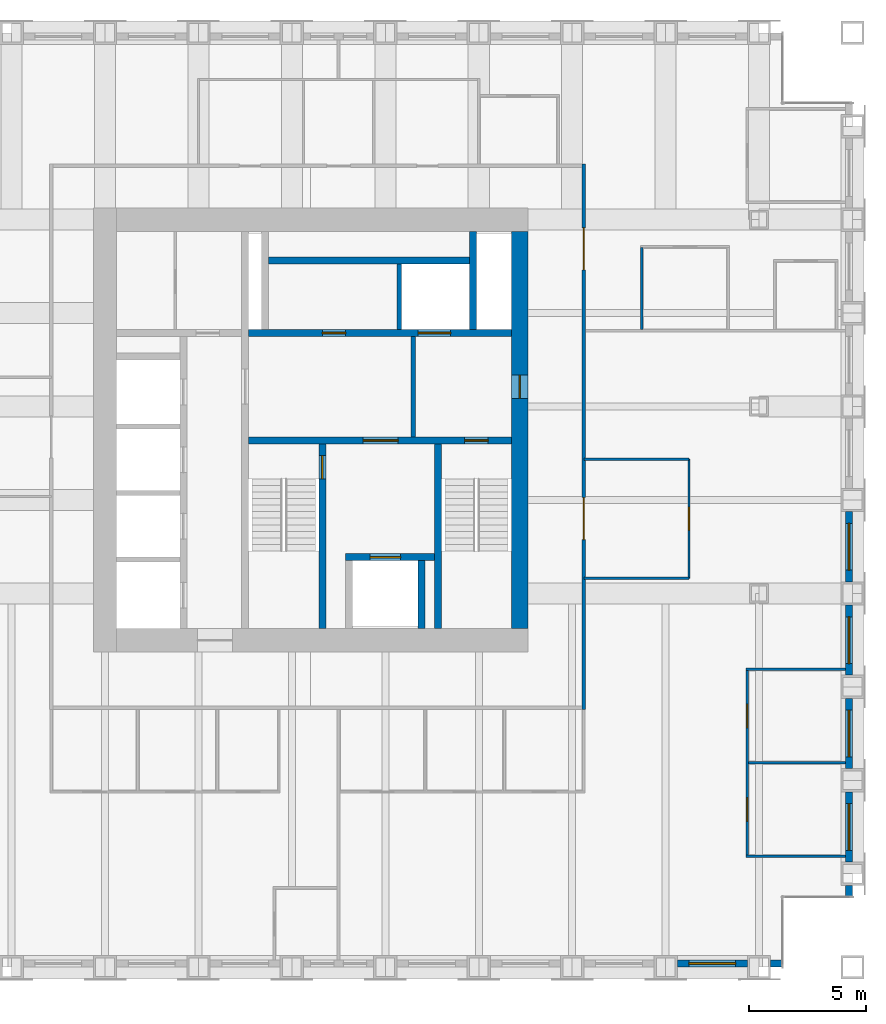
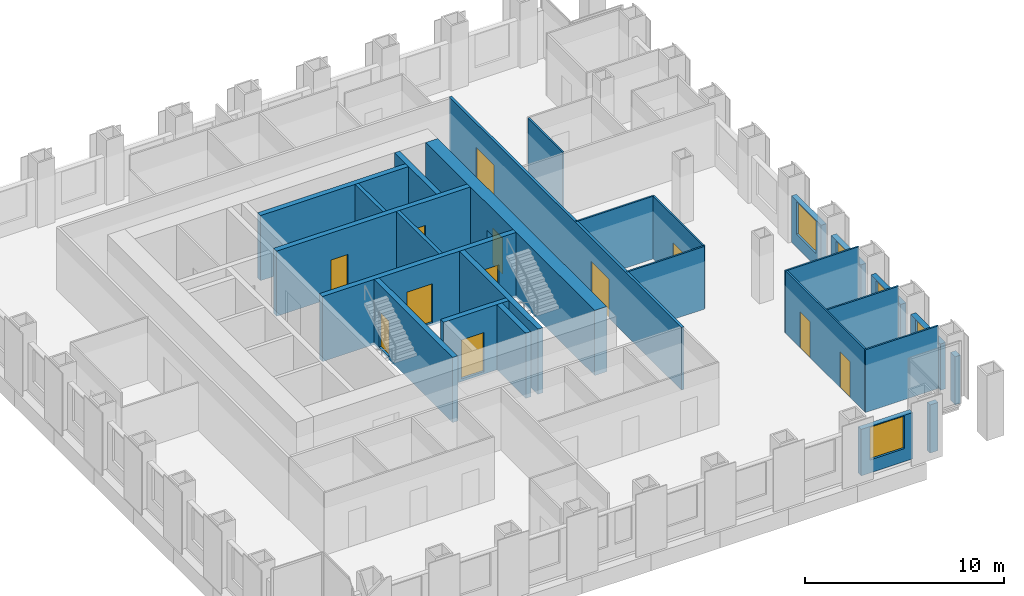
# One storey, part 9 of 13: 27 walls, 12 doors, 5 windows, 17 openings.
"""IFC4 building model written with IfcOpenShell, lengths in metres."""

from ifc_helpers import new_model, si_unit, direction, frame, frame_2d, origin, place, context, subcontext, project, spatial, rectangle, extrude, material, layer, layer_set, type_object, element, fill, save


model = new_model("IFC4")

# Units and contexts
model_context = context("Model", 3, precision=1e-05, world=origin(), true_north=direction((0.0, 1.0)))
body_context = subcontext(model_context, "Body", "Model", "MODEL_VIEW")
ifc_project = project(units=[si_unit("LENGTHUNIT", "METRE"), si_unit("AREAUNIT", "SQUARE_METRE"), si_unit("VOLUMEUNIT", "CUBIC_METRE"), si_unit("PLANEANGLEUNIT", "RADIAN"), si_unit("MASSUNIT", "GRAM", prefix="KILO")], contexts=[model_context])

# Site, building, storey
site_placement = place(None, origin())
site = spatial("IfcSite", under=ifc_project, at=site_placement, CompositionType="ELEMENT")
building_placement = place(site_placement, origin())
building = spatial("IfcBuilding", under=site, at=building_placement, Name="Rimbunsela Tower", CompositionType="ELEMENT")
storey_placement = place(building_placement, frame((0.0, 0.0, 262.199951171875)))
storey = spatial("IfcBuildingStorey", under=building, at=storey_placement, Name="L63", CompositionType="ELEMENT", Elevation=262.199951171875)

# Wall, openings, doors
ifc_material_1 = material(Name="Concrete fc' 80 MPa", Category="concrete")
ifc_layer_1 = layer(ifc_material_1, 0.300048828125)
ifc_layer_set_1 = layer_set([ifc_layer_1], Name="Core internal wall 300")
wall_type_1 = type_object("IfcWallType", Name="Core internal wall 300", PredefinedType="SHEAR", material=ifc_layer_set_1)
wall_1_placement = place(storey_placement, frame((24.14990234375, 26.550048828125, -0.14990234375), z_axis=(0.0, 0.0, 1.0), x_axis=(1.0, 0.0, 0.0)))
wall_1 = element("IfcWall", 1, at=wall_1_placement, inside=storey, type_object=wall_type_1, Name="Core wall lobby south", PredefinedType="SHEAR", context=body_context, shape_type="SweptSolid", body=[
    extrude(rectangle(XDim=11.25, YDim=0.300048828125, at=frame_2d((5.625, 0.0))), origin(), (0.0, 0.0, 1.0), 4.0),
])
opening_1_placement = place(wall_1_placement, frame((9.25, 0.0, 0.14990234375)))
opening_1 = element("IfcOpeningElement", 2, at=opening_1_placement, cuts=wall_1, Name="Opening D01", PredefinedType="OPENING", context=body_context, shape_type="SweptSolid", body=[
    extrude(rectangle(XDim=1.0, YDim=2.199951171875, at=frame_2d((0.5, 1.10009765625))), frame((0.0, 0.159912109375, 0.0), z_axis=(0.0, -1.0, 0.0), x_axis=(1.0, 0.0, 0.0)), (0.0, 0.0, 1.0), 0.320068359375),
])
opening_2_placement = place(wall_1_placement, frame((4.89990234375, 0.0, 0.14990234375)))
opening_2 = element("IfcOpeningElement", 3, at=opening_2_placement, cuts=wall_1, Name="Opening D03", PredefinedType="OPENING", context=body_context, shape_type="SweptSolid", body=[
    extrude(rectangle(XDim=1.5, YDim=2.39990234375, at=frame_2d((0.75, 1.199951171875))), frame((0.0, 0.159912109375, 0.0), z_axis=(0.0, -1.0, 0.0), x_axis=(1.0, 0.0, 0.0)), (0.0, 0.0, 1.0), 0.320068359375),
])
ifc_material_2 = material(Name="Steel door, fire rated", Category="steel")
door_type_1 = type_object("IfcDoorType", Name="Core lobby door 1500", OperationType="DOUBLE_DOOR_DOUBLE_SWING", PredefinedType="DOOR", material=ifc_material_2)
door_1_placement = place(opening_2_placement, origin())
door_1 = element("IfcDoor", 4, at=door_1_placement, inside=storey, type_object=door_type_1, Name="Firefighting lobby door", OperationType="DOUBLE_DOOR_DOUBLE_SWING", OverallHeight=2.39990234375, OverallWidth=1.5, PredefinedType="DOOR", context=body_context, shape_type="SweptSolid", body=[
    extrude(rectangle(XDim=1.5, YDim=2.39990234375, at=frame_2d((0.75, 1.199951171875))), frame((0.0, 0.02490234375, 0.0), z_axis=(0.0, -1.0, 0.0), x_axis=(1.0, 0.0, 0.0)), (0.0, 0.0, 1.0), 0.050048828125),
])
fill(opening_2, door_1)
ifc_material_3 = material(Name="Steel door, fire rated", Category="steel")
door_type_2 = type_object("IfcDoorType", Name="Stair door 1000", OperationType="SINGLE_SWING_RIGHT", PredefinedType="DOOR", material=ifc_material_3)
door_2_placement = place(opening_1_placement, frame((1.0, 0.0, 0.0), z_axis=(0.0, 0.0, 1.0), x_axis=(-1.0, 0.0, 0.0)))
door_2 = element("IfcDoor", 5, at=door_2_placement, inside=storey, type_object=door_type_2, Name="Stair B door", OperationType="SINGLE_SWING_RIGHT", OverallHeight=2.199951171875, OverallWidth=1.0, PredefinedType="DOOR", context=body_context, shape_type="SweptSolid", body=[
    extrude(rectangle(XDim=1.0, YDim=2.199951171875, at=frame_2d((0.5, 1.10009765625))), frame((0.0, 0.02490234375, 0.0), z_axis=(0.0, -1.0, 0.0), x_axis=(1.0, 0.0, 0.0)), (0.0, 0.0, 1.0), 0.050048828125),
])
fill(opening_1, door_2)

# Wall, opening, door
wall_2_placement = place(storey_placement, frame((27.300048828125, 18.5, -0.14990234375), z_axis=(0.0, 0.0, 1.0), x_axis=(0.0, 1.0, 0.0)))
wall_2 = element("IfcWall", 6, at=wall_2_placement, inside=storey, type_object=wall_type_1, Name="Stair A enclosure", PredefinedType="SHEAR", context=body_context, shape_type="SweptSolid", body=[
    extrude(rectangle(XDim=7.89990234375, YDim=0.300048828125, at=frame_2d((3.949951171875, 0.0))), origin(), (0.0, 0.0, 1.0), 4.0),
])
opening_3_placement = place(wall_2_placement, frame((6.39990234375, 0.0, 0.14990234375)))
opening_3 = element("IfcOpeningElement", 7, at=opening_3_placement, cuts=wall_2, Name="Opening D01", PredefinedType="OPENING", context=body_context, shape_type="SweptSolid", body=[
    extrude(rectangle(XDim=1.0, YDim=2.199951171875, at=frame_2d((0.5, 1.10009765625))), frame((0.0, 0.159912109375, 0.0), z_axis=(0.0, -1.0, 0.0), x_axis=(1.0, 0.0, 0.0)), (0.0, 0.0, 1.0), 0.320068359375),
])
door_3_placement = place(opening_3_placement, origin())
door_3 = element("IfcDoor", 8, at=door_3_placement, inside=storey, type_object=door_type_2, Name="Stair A door", OperationType="SINGLE_SWING_RIGHT", OverallHeight=2.199951171875, OverallWidth=1.0, PredefinedType="DOOR", context=body_context, shape_type="SweptSolid", body=[
    extrude(rectangle(XDim=1.0, YDim=2.199951171875, at=frame_2d((0.5, 1.10009765625))), frame((0.0, 0.02490234375, 0.0), z_axis=(0.0, -1.0, 0.0), x_axis=(1.0, 0.0, 0.0)), (0.0, 0.0, 1.0), 0.050048828125),
])
fill(opening_3, door_3)

# Walls
wall_3_placement = place(storey_placement, frame((32.25, 18.5, -0.14990234375), z_axis=(0.0, 0.0, 1.0), x_axis=(0.0, 1.0, 0.0)))
element("IfcWall", 9, at=wall_3_placement, inside=storey, type_object=wall_type_1, Name="Stair B enclosure", PredefinedType="SHEAR", context=body_context, shape_type="SweptSolid", body=[
    extrude(rectangle(XDim=7.89990234375, YDim=0.300048828125, at=frame_2d((3.949951171875, 0.0))), origin(), (0.0, 0.0, 1.0), 4.0),
])
wall_4_placement = place(storey_placement, frame((31.550048828125, 18.5, -0.14990234375), z_axis=(0.0, 0.0, 1.0), x_axis=(0.0, 1.0, 0.0)))
element("IfcWall", 10, at=wall_4_placement, inside=storey, type_object=wall_type_1, Name="Firefighting lift shaft east", PredefinedType="SHEAR", context=body_context, shape_type="SweptSolid", body=[
    extrude(rectangle(XDim=2.89990234375, YDim=0.300048828125, at=frame_2d((1.449951171875, 0.0))), origin(), (0.0, 0.0, 1.0), 4.0),
])

# Wall, opening, door
wall_5_placement = place(storey_placement, frame((28.300048828125, 21.550048828125, -0.14990234375), z_axis=(0.0, 0.0, 1.0), x_axis=(1.0, 0.0, 0.0)))
wall_5 = element("IfcWall", 11, at=wall_5_placement, inside=storey, type_object=wall_type_1, Name="Firefighting lift shaft front", PredefinedType="SHEAR", context=body_context, shape_type="SweptSolid", body=[
    extrude(rectangle(XDim=3.800048828125, YDim=0.300048828125, at=frame_2d((1.89990234375, 0.0))), origin(), (0.0, 0.0, 1.0), 4.0),
])
opening_4_placement = place(wall_5_placement, frame((1.050048828125, 0.0, 0.14990234375)))
opening_4 = element("IfcOpeningElement", 12, at=opening_4_placement, cuts=wall_5, Name="Opening LD2", PredefinedType="OPENING", context=body_context, shape_type="SweptSolid", body=[
    extrude(rectangle(XDim=1.300048828125, YDim=2.39990234375, at=frame_2d((0.64990234375, 1.199951171875))), frame((0.0, 0.159912109375, 0.0), z_axis=(0.0, -1.0, 0.0), x_axis=(1.0, 0.0, 0.0)), (0.0, 0.0, 1.0), 0.320068359375),
])
ifc_material_4 = material(Name="Steel door, fire rated", Category="steel")
door_type_3 = type_object("IfcDoorType", Name="Lift landing door 1300", OperationType="DOUBLE_DOOR_SLIDING", PredefinedType="DOOR", material=ifc_material_4)
door_4_placement = place(opening_4_placement, origin())
door_4 = element("IfcDoor", 13, at=door_4_placement, inside=storey, type_object=door_type_3, Name="Lift landing door FL1", OperationType="DOUBLE_DOOR_SLIDING", OverallHeight=2.39990234375, OverallWidth=1.300048828125, PredefinedType="DOOR", context=body_context, shape_type="SweptSolid", body=[
    extrude(rectangle(XDim=1.300048828125, YDim=2.39990234375, at=frame_2d((0.64990234375, 1.199951171875))), frame((0.0, 0.02490234375, 0.0), z_axis=(0.0, -1.0, 0.0), x_axis=(1.0, 0.0, 0.0)), (0.0, 0.0, 1.0), 0.050048828125),
])
fill(opening_4, door_4)

# Wall, openings, doors
wall_6_placement = place(storey_placement, frame((24.14990234375, 31.14990234375, -0.14990234375), z_axis=(0.0, 0.0, 1.0), x_axis=(1.0, 0.0, 0.0)))
wall_6 = element("IfcWall", 14, at=wall_6_placement, inside=storey, type_object=wall_type_1, Name="Lift shaft front north", PredefinedType="SHEAR", context=body_context, shape_type="SweptSolid", body=[
    extrude(rectangle(XDim=11.25, YDim=0.300048828125, at=frame_2d((5.625, 0.0))), origin(), (0.0, 0.0, 1.0), 4.0),
])
opening_5_placement = place(wall_6_placement, frame((3.14990234375, 0.0, 0.14990234375)))
opening_5 = element("IfcOpeningElement", 15, at=opening_5_placement, cuts=wall_6, Name="Opening D19", PredefinedType="OPENING", context=body_context, shape_type="SweptSolid", body=[
    extrude(rectangle(XDim=1.0, YDim=2.199951171875, at=frame_2d((0.5, 1.10009765625))), frame((0.0, 0.159912109375, 0.0), z_axis=(0.0, -1.0, 0.0), x_axis=(1.0, 0.0, 0.0)), (0.0, 0.0, 1.0), 0.320068359375),
])
opening_6_placement = place(wall_6_placement, frame((7.25, 0.0, 0.14990234375)))
opening_6 = element("IfcOpeningElement", 16, at=opening_6_placement, cuts=wall_6, Name="Opening LD3", PredefinedType="OPENING", context=body_context, shape_type="SweptSolid", body=[
    extrude(rectangle(XDim=1.39990234375, YDim=2.39990234375, at=frame_2d((0.699951171875, 1.199951171875))), frame((0.0, 0.159912109375, 0.0), z_axis=(0.0, -1.0, 0.0), x_axis=(1.0, 0.0, 0.0)), (0.0, 0.0, 1.0), 0.320068359375),
])
ifc_material_5 = material(Name="Steel door, fire rated", Category="steel")
door_type_4 = type_object("IfcDoorType", Name="Lift landing door 1400", OperationType="DOUBLE_DOOR_SLIDING", PredefinedType="DOOR", material=ifc_material_5)
door_5_placement = place(opening_6_placement, origin())
door_5 = element("IfcDoor", 17, at=door_5_placement, inside=storey, type_object=door_type_4, Name="Lift landing door FL2", OperationType="DOUBLE_DOOR_SLIDING", OverallHeight=2.39990234375, OverallWidth=1.39990234375, PredefinedType="DOOR", context=body_context, shape_type="SweptSolid", body=[
    extrude(rectangle(XDim=1.39990234375, YDim=2.39990234375, at=frame_2d((0.699951171875, 1.199951171875))), frame((0.0, 0.02490234375, 0.0), z_axis=(0.0, -1.0, 0.0), x_axis=(1.0, 0.0, 0.0)), (0.0, 0.0, 1.0), 0.050048828125),
])
fill(opening_6, door_5)
ifc_material_6 = material(Name="Steel door, fire rated", Category="steel")
door_type_5 = type_object("IfcDoorType", Name="Service door 1000 fire rated", OperationType="SINGLE_SWING_LEFT", PredefinedType="DOOR", material=ifc_material_6)
door_6_placement = place(opening_5_placement, origin())
door_6 = element("IfcDoor", 18, at=door_6_placement, inside=storey, type_object=door_type_5, Name="Equipment store door", OperationType="SINGLE_SWING_LEFT", OverallHeight=2.199951171875, OverallWidth=1.0, PredefinedType="DOOR", context=body_context, shape_type="SweptSolid", body=[
    extrude(rectangle(XDim=1.0, YDim=2.199951171875, at=frame_2d((0.5, 1.10009765625))), frame((0.0, 0.02490234375, 0.0), z_axis=(0.0, -1.0, 0.0), x_axis=(1.0, 0.0, 0.0)), (0.0, 0.0, 1.0), 0.050048828125),
])
fill(opening_5, door_6)

# Walls
wall_7_placement = place(storey_placement, frame((33.75, 31.300048828125, -0.14990234375), z_axis=(0.0, 0.0, 1.0), x_axis=(0.0, 1.0, 0.0)))
element("IfcWall", 19, at=wall_7_placement, inside=storey, type_object=wall_type_1, Name="Riser wall", PredefinedType="SHEAR", context=body_context, shape_type="SweptSolid", body=[
    extrude(rectangle(XDim=4.199951171875, YDim=0.300048828125, at=frame_2d((2.10009765625, 0.0))), origin(), (0.0, 0.0, 1.0), 4.0),
])
wall_8_placement = place(storey_placement, frame((25.0, 34.25, -0.14990234375), z_axis=(0.0, 0.0, 1.0), x_axis=(1.0, 0.0, 0.0)))
element("IfcWall", 20, at=wall_8_placement, inside=storey, type_object=wall_type_1, Name="Lift shaft rear north", PredefinedType="SHEAR", context=body_context, shape_type="SweptSolid", body=[
    extrude(rectangle(XDim=8.60009765625, YDim=0.300048828125, at=frame_2d((4.300048828125, 0.0))), origin(), (0.0, 0.0, 1.0), 4.0),
])

# Wall, opening, door
ifc_material_7 = material(Name="Concrete fc' 80 MPa", Category="concrete")
ifc_layer_2 = layer(ifc_material_7, 0.699951171875)
ifc_layer_set_2 = layer_set([ifc_layer_2], Name="Core wall 700 east")
wall_type_2 = type_object("IfcWallType", Name="Core wall 700 east", PredefinedType="SHEAR", material=ifc_layer_set_2)
wall_9_placement = place(storey_placement, frame((35.75, 18.5, -0.14990234375), z_axis=(0.0, 0.0, 1.0), x_axis=(0.0, 1.0, 0.0)))
wall_9 = element("IfcWall", 21, at=wall_9_placement, inside=storey, type_object=wall_type_2, Name="Core wall east", PredefinedType="SHEAR", context=body_context, shape_type="SweptSolid", body=[
    extrude(rectangle(XDim=17.0, YDim=0.699951171875, at=frame_2d((8.5, 0.0))), origin(), (0.0, 0.0, 1.0), 4.0),
])
opening_7_placement = place(wall_9_placement, frame((9.85009765625, 0.0, 0.14990234375)))
opening_7 = element("IfcOpeningElement", 22, at=opening_7_placement, cuts=wall_9, Name="Opening D01", PredefinedType="OPENING", context=body_context, shape_type="SweptSolid", body=[
    extrude(rectangle(XDim=1.0, YDim=2.199951171875, at=frame_2d((0.5, 1.10009765625))), frame((0.0, 0.35986328125, 0.0), z_axis=(0.0, -1.0, 0.0), x_axis=(1.0, 0.0, 0.0)), (0.0, 0.0, 1.0), 0.719970703125),
])
door_7_placement = place(opening_7_placement, origin())
door_7 = element("IfcDoor", 23, at=door_7_placement, inside=storey, type_object=door_type_2, Name="Firefighting lobby 2 door", OperationType="SINGLE_SWING_RIGHT", OverallHeight=2.199951171875, OverallWidth=1.0, PredefinedType="DOOR", context=body_context, shape_type="SweptSolid", body=[
    extrude(rectangle(XDim=1.0, YDim=2.199951171875, at=frame_2d((0.5, 1.10009765625))), frame((0.0, 0.02490234375, 0.0), z_axis=(0.0, -1.0, 0.0), x_axis=(1.0, 0.0, 0.0)), (0.0, 0.0, 1.0), 0.050048828125),
])
fill(opening_7, door_7)

# Walls
ifc_material_8 = material(Name="Concrete blockwork", Category="masonry")
ifc_layer_3 = layer(ifc_material_8, 0.199951171875)
ifc_layer_set_3 = layer_set([ifc_layer_3], Name="Lift shaft wall 200")
wall_type_3 = type_object("IfcWallType", Name="Lift shaft wall 200", PredefinedType="SOLIDWALL", material=ifc_layer_set_3)
wall_10_placement = place(storey_placement, frame((30.60009765625, 31.300048828125, -0.14990234375), z_axis=(0.0, 0.0, 1.0), x_axis=(0.0, 1.0, 0.0)))
element("IfcWall", 24, at=wall_10_placement, inside=storey, type_object=wall_type_3, Name="Lift shaft separation", PredefinedType="SOLIDWALL", context=body_context, shape_type="SweptSolid", body=[
    extrude(rectangle(XDim=2.800048828125, YDim=0.199951171875, at=frame_2d((1.39990234375, 0.0))), origin(), (0.0, 0.0, 1.0), 4.0),
])
wall_11_placement = place(storey_placement, frame((31.199951171875, 26.699951171875, 0.0), z_axis=(0.0, 0.0, 1.0), x_axis=(0.0, 1.0, 0.0)))
element("IfcWall", 25, at=wall_11_placement, inside=storey, type_object=wall_type_3, Name="Firefighting lobby 2 wall", PredefinedType="SOLIDWALL", context=body_context, shape_type="SweptSolid", body=[
    extrude(rectangle(XDim=4.300048828125, YDim=0.199951171875, at=frame_2d((2.14990234375, 0.0))), origin(), (0.0, 0.0, 1.0), 3.85009765625),
])
ifc_material_9 = material(Name="Gypsum board on steel studs", Category="steel")
ifc_layer_4 = layer(ifc_material_9, 0.10009765625)
ifc_layer_set_4 = layer_set([ifc_layer_4], Name="Office partition 100")
wall_type_4 = type_object("IfcWallType", Name="Office partition 100", PredefinedType="PARTITIONING", material=ifc_layer_set_4)
wall_12_placement = place(storey_placement, frame((45.449951171875, 8.75, 0.0), z_axis=(0.0, 0.0, 1.0), x_axis=(1.0, 0.0, 0.0)))
element("IfcWall", 26, at=wall_12_placement, inside=storey, type_object=wall_type_4, Name="Office partition", PredefinedType="PARTITIONING", context=body_context, shape_type="SweptSolid", body=[
    extrude(rectangle(XDim=4.25, YDim=0.10009765625, at=frame_2d((2.125, 0.0))), origin(), (0.0, 0.0, 1.0), 3.85009765625),
])
wall_13_placement = place(storey_placement, frame((45.550048828125, 12.75, 0.0), z_axis=(0.0, 0.0, 1.0), x_axis=(1.0, 0.0, 0.0)))
element("IfcWall", 27, at=wall_13_placement, inside=storey, type_object=wall_type_4, Name="Office partition", PredefinedType="PARTITIONING", context=body_context, shape_type="SweptSolid", body=[
    extrude(rectangle(XDim=4.14990234375, YDim=0.10009765625, at=frame_2d((2.074951171875, 0.0))), origin(), (0.0, 0.0, 1.0), 3.85009765625),
])
wall_14_placement = place(storey_placement, frame((45.449951171875, 16.75, 0.0), z_axis=(0.0, 0.0, 1.0), x_axis=(1.0, 0.0, 0.0)))
element("IfcWall", 28, at=wall_14_placement, inside=storey, type_object=wall_type_4, Name="Office partition", PredefinedType="PARTITIONING", context=body_context, shape_type="SweptSolid", body=[
    extrude(rectangle(XDim=4.25, YDim=0.10009765625, at=frame_2d((2.125, 0.0))), origin(), (0.0, 0.0, 1.0), 3.85009765625),
])
wall_15_placement = place(storey_placement, frame((40.97509765625, 31.31005859375, 0.0), z_axis=(0.0, 0.0, 1.0), x_axis=(0.0, 1.0, 0.0)))
element("IfcWall", 29, at=wall_15_placement, inside=storey, type_object=wall_type_4, Name="Office partition", PredefinedType="PARTITIONING", context=body_context, shape_type="SweptSolid", body=[
    extrude(rectangle(XDim=3.489990234375, YDim=0.10009765625, at=frame_2d((1.7451171875, 0.0))), origin(), (0.0, 0.0, 1.0), 3.85009765625),
])

# Wall, openings, doors
wall_16_placement = place(storey_placement, frame((45.5, 8.800048828125, 0.0), z_axis=(0.0, 0.0, 1.0), x_axis=(0.0, 1.0, 0.0)))
wall_16 = element("IfcWall", 30, at=wall_16_placement, inside=storey, type_object=wall_type_4, Name="Office partition", PredefinedType="PARTITIONING", context=body_context, shape_type="SweptSolid", body=[
    extrude(rectangle(XDim=7.89990234375, YDim=0.10009765625, at=frame_2d((3.949951171875, 0.0))), origin(), (0.0, 0.0, 1.0), 3.85009765625),
])
opening_8_placement = place(wall_16_placement, frame((1.449951171875, 0.0, 0.0)))
opening_8 = element("IfcOpeningElement", 31, at=opening_8_placement, cuts=wall_16, Name="Opening D16", PredefinedType="OPENING", context=body_context, shape_type="SweptSolid", body=[
    extrude(rectangle(XDim=1.0, YDim=2.199951171875, at=frame_2d((0.5, 1.10009765625))), frame((0.0, 0.06005859375, 0.0), z_axis=(0.0, -1.0, 0.0), x_axis=(1.0, 0.0, 0.0)), (0.0, 0.0, 1.0), 0.1201171875),
])
opening_9_placement = place(wall_16_placement, frame((5.449951171875, 0.0, 0.0)))
opening_9 = element("IfcOpeningElement", 32, at=opening_9_placement, cuts=wall_16, Name="Opening D16", PredefinedType="OPENING", context=body_context, shape_type="SweptSolid", body=[
    extrude(rectangle(XDim=1.0, YDim=2.199951171875, at=frame_2d((0.5, 1.10009765625))), frame((0.0, 0.06005859375, 0.0), z_axis=(0.0, -1.0, 0.0), x_axis=(1.0, 0.0, 0.0)), (0.0, 0.0, 1.0), 0.1201171875),
])
ifc_material_10 = material(Name="Timber door", Category="wood")
door_type_6 = type_object("IfcDoorType", Name="Office door 1000", OperationType="SINGLE_SWING_LEFT", PredefinedType="DOOR", material=ifc_material_10)
door_8_placement = place(opening_8_placement, origin())
door_8 = element("IfcDoor", 33, at=door_8_placement, inside=storey, type_object=door_type_6, Name="Office door", OperationType="SINGLE_SWING_LEFT", OverallHeight=2.199951171875, OverallWidth=1.0, PredefinedType="DOOR", context=body_context, shape_type="SweptSolid", body=[
    extrude(rectangle(XDim=1.0, YDim=2.199951171875, at=frame_2d((0.5, 1.10009765625))), frame((0.0, 0.02490234375, 0.0), z_axis=(0.0, -1.0, 0.0), x_axis=(1.0, 0.0, 0.0)), (0.0, 0.0, 1.0), 0.050048828125),
])
fill(opening_8, door_8)
door_9_placement = place(opening_9_placement, origin())
door_9 = element("IfcDoor", 34, at=door_9_placement, inside=storey, type_object=door_type_6, Name="Office door", OperationType="SINGLE_SWING_LEFT", OverallHeight=2.199951171875, OverallWidth=1.0, PredefinedType="DOOR", context=body_context, shape_type="SweptSolid", body=[
    extrude(rectangle(XDim=1.0, YDim=2.199951171875, at=frame_2d((0.5, 1.10009765625))), frame((0.0, 0.02490234375, 0.0), z_axis=(0.0, -1.0, 0.0), x_axis=(1.0, 0.0, 0.0)), (0.0, 0.0, 1.0), 0.050048828125),
])
fill(opening_9, door_9)

# Wall
wall_17_placement = place(storey_placement, frame((38.5, 20.64990234375, 0.0), z_axis=(0.0, 0.0, 1.0), x_axis=(1.0, 0.0, 0.0)))
element("IfcWall", 35, at=wall_17_placement, inside=storey, type_object=wall_type_4, Name="Office partition", PredefinedType="PARTITIONING", context=body_context, shape_type="SweptSolid", body=[
    extrude(rectangle(XDim=4.5, YDim=0.10009765625, at=frame_2d((2.25, 0.0))), origin(), (0.0, 0.0, 1.0), 3.85009765625),
])

# Wall, opening, door
wall_18_placement = place(storey_placement, frame((43.0, 20.64990234375, 0.0), z_axis=(0.0, 0.0, 1.0), x_axis=(0.0, 1.0, 0.0)))
wall_18 = element("IfcWall", 36, at=wall_18_placement, inside=storey, type_object=wall_type_4, Name="Office partition", PredefinedType="PARTITIONING", context=body_context, shape_type="SweptSolid", body=[
    extrude(rectangle(XDim=5.10009765625, YDim=0.10009765625, at=frame_2d((2.550048828125, 0.0))), origin(), (0.0, 0.0, 1.0), 3.85009765625),
])
opening_10_placement = place(wall_18_placement, frame((2.050048828125, 0.0, 0.0)))
opening_10 = element("IfcOpeningElement", 37, at=opening_10_placement, cuts=wall_18, Name="Opening D17", PredefinedType="OPENING", context=body_context, shape_type="SweptSolid", body=[
    extrude(rectangle(XDim=1.0, YDim=2.199951171875, at=frame_2d((0.5, 1.10009765625))), frame((0.0, 0.06005859375, 0.0), z_axis=(0.0, -1.0, 0.0), x_axis=(1.0, 0.0, 0.0)), (0.0, 0.0, 1.0), 0.1201171875),
])
ifc_material_11 = material(Name="Glazed aluminium door", Category="aluminium")
door_type_7 = type_object("IfcDoorType", Name="Meeting room door 1000 glazed", OperationType="SINGLE_SWING_RIGHT", PredefinedType="DOOR", material=ifc_material_11)
door_10_placement = place(opening_10_placement, origin())
door_10 = element("IfcDoor", 38, at=door_10_placement, inside=storey, type_object=door_type_7, Name="Reception door", OperationType="SINGLE_SWING_RIGHT", OverallHeight=2.199951171875, OverallWidth=1.0, PredefinedType="DOOR", context=body_context, shape_type="SweptSolid", body=[
    extrude(rectangle(XDim=1.0, YDim=2.199951171875, at=frame_2d((0.5, 1.10009765625))), frame((0.0, 0.02490234375, 0.0), z_axis=(0.0, -1.0, 0.0), x_axis=(1.0, 0.0, 0.0)), (0.0, 0.0, 1.0), 0.050048828125),
])
fill(opening_10, door_10)

# Wall
wall_19_placement = place(storey_placement, frame((43.0, 25.75, 0.0), z_axis=(0.0, 0.0, 1.0), x_axis=(-1.0, 0.0, 0.0)))
element("IfcWall", 39, at=wall_19_placement, inside=storey, type_object=wall_type_4, Name="Office partition", PredefinedType="PARTITIONING", context=body_context, shape_type="SweptSolid", body=[
    extrude(rectangle(XDim=4.5, YDim=0.10009765625, at=frame_2d((2.25, 0.0))), origin(), (0.0, 0.0, 1.0), 3.85009765625),
])

# Wall, opening, window
ifc_material_12 = material(Name="Precast concrete fc' 35 MPa", Category="concrete")
ifc_layer_5 = layer(ifc_material_12, 0.300048828125)
ifc_layer_set_5 = layer_set([ifc_layer_5], Name="Precast concrete fc' 35 MPa")
wall_type_5 = type_object("IfcWallType", Name="Precast facade panel 300", PredefinedType="ELEMENTEDWALL", material=ifc_layer_set_5)
wall_20_placement = place(storey_placement, frame((42.5, 4.14990234375, 0.0), z_axis=(0.0, 0.0, 1.0), x_axis=(1.0, 0.0, 0.0)))
wall_20 = element("IfcWall", 40, at=wall_20_placement, inside=storey, type_object=wall_type_5, Name="Facade panel S L63", PredefinedType="ELEMENTEDWALL", context=body_context, shape_type="SweptSolid", body=[
    extrude(rectangle(XDim=3.0, YDim=0.300048828125, at=frame_2d((1.5, 0.0))), origin(), (0.0, 0.0, 1.0), 2.85009765625),
])
opening_11_placement = place(wall_20_placement, frame((0.5, 0.0, 0.800048828125)))
opening_11 = element("IfcOpeningElement", 41, at=opening_11_placement, cuts=wall_20, Name="Opening W1", PredefinedType="OPENING", context=body_context, shape_type="SweptSolid", body=[
    extrude(rectangle(XDim=2.0, YDim=2.0, at=frame_2d((1.0, 1.0))), frame((0.0, 0.159912109375, 0.0), z_axis=(0.0, -1.0, 0.0), x_axis=(1.0, 0.0, 0.0)), (0.0, 0.0, 1.0), 0.320068359375),
])
ifc_material_13 = material(Name="Clear glass in aluminium frame", Category="aluminium")
window_type = type_object("IfcWindowType", Name="Window W1 2000x2000", PartitioningType="DOUBLE_PANEL_VERTICAL", PredefinedType="WINDOW", material=ifc_material_13)
window_1_placement = place(opening_11_placement, origin())
window_1 = element("IfcWindow", 42, at=window_1_placement, inside=storey, type_object=window_type, Name="Window L63", OverallHeight=2.0, OverallWidth=2.0, PartitioningType="SINGLE_PANEL", PredefinedType="WINDOW", context=body_context, shape_type="SweptSolid", body=[
    extrude(rectangle(XDim=2.0, YDim=2.0, at=frame_2d((1.0, 1.0))), frame((0.0, 0.030029296875, 0.0), z_axis=(0.0, -1.0, 0.0), x_axis=(1.0, 0.0, 0.0)), (0.0, 0.0, 1.0), 0.06005859375),
])
fill(opening_11, window_1)

# Walls
for number, where, z_axis, x_axis, name in (
    (43, (46.5, 4.14990234375, 0.0), (0.0, 0.0, 1.0), (1.0, 0.0, 0.0), "Facade panel S L63"),
    (44, (49.85009765625, 7.030029296875, 0.0), (0.0, 0.0, 1.0), (0.0, 1.0, 0.0), "Facade panel E L63"),
):
    element("IfcWall", number, at=place(storey_placement, frame(where, z_axis=z_axis, x_axis=x_axis)), inside=storey, type_object=wall_type_5, Name=name, PredefinedType="ELEMENTEDWALL", context=body_context, shape_type="SweptSolid", body=[
        extrude(rectangle(XDim=0.469970703125, YDim=0.300048828125, at=frame_2d((0.23486328125, 0.0))), origin(), (0.0, 0.0, 1.0), 2.949951171875),
    ])

# Wall, opening, window
wall_21_placement = place(storey_placement, frame((49.85009765625, 8.5, 0.0), z_axis=(0.0, 0.0, 1.0), x_axis=(0.0, 1.0, 0.0)))
wall_21 = element("IfcWall", 45, at=wall_21_placement, inside=storey, type_object=wall_type_5, Name="Facade panel E L63", PredefinedType="ELEMENTEDWALL", context=body_context, shape_type="SweptSolid", body=[
    extrude(rectangle(XDim=3.0, YDim=0.300048828125, at=frame_2d((1.5, 0.0))), origin(), (0.0, 0.0, 1.0), 2.85009765625),
])
opening_12_placement = place(wall_21_placement, frame((0.5, 0.0, 0.800048828125)))
opening_12 = element("IfcOpeningElement", 46, at=opening_12_placement, cuts=wall_21, Name="Opening W1", PredefinedType="OPENING", context=body_context, shape_type="SweptSolid", body=[
    extrude(rectangle(XDim=2.0, YDim=2.0, at=frame_2d((1.0, 1.0))), frame((0.0, 0.159912109375, 0.0), z_axis=(0.0, -1.0, 0.0), x_axis=(1.0, 0.0, 0.0)), (0.0, 0.0, 1.0), 0.320068359375),
])
window_2_placement = place(opening_12_placement, origin())
window_2 = element("IfcWindow", 47, at=window_2_placement, inside=storey, type_object=window_type, Name="Window L63", OverallHeight=2.0, OverallWidth=2.0, PartitioningType="SINGLE_PANEL", PredefinedType="WINDOW", context=body_context, shape_type="SweptSolid", body=[
    extrude(rectangle(XDim=2.0, YDim=2.0, at=frame_2d((1.0, 1.0))), frame((0.0, 0.030029296875, 0.0), z_axis=(0.0, -1.0, 0.0), x_axis=(1.0, 0.0, 0.0)), (0.0, 0.0, 1.0), 0.06005859375),
])
fill(opening_12, window_2)

wall_22_placement = place(storey_placement, frame((49.85009765625, 12.5, 0.0), z_axis=(0.0, 0.0, 1.0), x_axis=(0.0, 1.0, 0.0)))
wall_22 = element("IfcWall", 48, at=wall_22_placement, inside=storey, type_object=wall_type_5, Name="Facade panel E L63", PredefinedType="ELEMENTEDWALL", context=body_context, shape_type="SweptSolid", body=[
    extrude(rectangle(XDim=3.0, YDim=0.300048828125, at=frame_2d((1.5, 0.0))), origin(), (0.0, 0.0, 1.0), 2.85009765625),
])
opening_13_placement = place(wall_22_placement, frame((0.5, 0.0, 0.800048828125)))
opening_13 = element("IfcOpeningElement", 49, at=opening_13_placement, cuts=wall_22, Name="Opening W1", PredefinedType="OPENING", context=body_context, shape_type="SweptSolid", body=[
    extrude(rectangle(XDim=2.0, YDim=2.0, at=frame_2d((1.0, 1.0))), frame((0.0, 0.159912109375, 0.0), z_axis=(0.0, -1.0, 0.0), x_axis=(1.0, 0.0, 0.0)), (0.0, 0.0, 1.0), 0.320068359375),
])
window_3_placement = place(opening_13_placement, origin())
window_3 = element("IfcWindow", 50, at=window_3_placement, inside=storey, type_object=window_type, Name="Window L63", OverallHeight=2.0, OverallWidth=2.0, PartitioningType="SINGLE_PANEL", PredefinedType="WINDOW", context=body_context, shape_type="SweptSolid", body=[
    extrude(rectangle(XDim=2.0, YDim=2.0, at=frame_2d((1.0, 1.0))), frame((0.0, 0.030029296875, 0.0), z_axis=(0.0, -1.0, 0.0), x_axis=(1.0, 0.0, 0.0)), (0.0, 0.0, 1.0), 0.06005859375),
])
fill(opening_13, window_3)

wall_23_placement = place(storey_placement, frame((49.85009765625, 16.5, 0.0), z_axis=(0.0, 0.0, 1.0), x_axis=(0.0, 1.0, 0.0)))
wall_23 = element("IfcWall", 51, at=wall_23_placement, inside=storey, type_object=wall_type_5, Name="Facade panel E L63", PredefinedType="ELEMENTEDWALL", context=body_context, shape_type="SweptSolid", body=[
    extrude(rectangle(XDim=3.0, YDim=0.300048828125, at=frame_2d((1.5, 0.0))), origin(), (0.0, 0.0, 1.0), 2.85009765625),
])
opening_14_placement = place(wall_23_placement, frame((0.5, 0.0, 0.800048828125)))
opening_14 = element("IfcOpeningElement", 52, at=opening_14_placement, cuts=wall_23, Name="Opening W1", PredefinedType="OPENING", context=body_context, shape_type="SweptSolid", body=[
    extrude(rectangle(XDim=2.0, YDim=2.0, at=frame_2d((1.0, 1.0))), frame((0.0, 0.159912109375, 0.0), z_axis=(0.0, -1.0, 0.0), x_axis=(1.0, 0.0, 0.0)), (0.0, 0.0, 1.0), 0.320068359375),
])
window_4_placement = place(opening_14_placement, origin())
window_4 = element("IfcWindow", 53, at=window_4_placement, inside=storey, type_object=window_type, Name="Window L63", OverallHeight=2.0, OverallWidth=2.0, PartitioningType="SINGLE_PANEL", PredefinedType="WINDOW", context=body_context, shape_type="SweptSolid", body=[
    extrude(rectangle(XDim=2.0, YDim=2.0, at=frame_2d((1.0, 1.0))), frame((0.0, 0.030029296875, 0.0), z_axis=(0.0, -1.0, 0.0), x_axis=(1.0, 0.0, 0.0)), (0.0, 0.0, 1.0), 0.06005859375),
])
fill(opening_14, window_4)

wall_24_placement = place(storey_placement, frame((49.85009765625, 20.5, 0.0), z_axis=(0.0, 0.0, 1.0), x_axis=(0.0, 1.0, 0.0)))
wall_24 = element("IfcWall", 54, at=wall_24_placement, inside=storey, type_object=wall_type_5, Name="Facade panel E L63", PredefinedType="ELEMENTEDWALL", context=body_context, shape_type="SweptSolid", body=[
    extrude(rectangle(XDim=3.0, YDim=0.300048828125, at=frame_2d((1.5, 0.0))), origin(), (0.0, 0.0, 1.0), 2.85009765625),
])
opening_15_placement = place(wall_24_placement, frame((0.5, 0.0, 0.800048828125)))
opening_15 = element("IfcOpeningElement", 55, at=opening_15_placement, cuts=wall_24, Name="Opening W1", PredefinedType="OPENING", context=body_context, shape_type="SweptSolid", body=[
    extrude(rectangle(XDim=2.0, YDim=2.0, at=frame_2d((1.0, 1.0))), frame((0.0, 0.159912109375, 0.0), z_axis=(0.0, -1.0, 0.0), x_axis=(1.0, 0.0, 0.0)), (0.0, 0.0, 1.0), 0.320068359375),
])
window_5_placement = place(opening_15_placement, origin())
window_5 = element("IfcWindow", 56, at=window_5_placement, inside=storey, type_object=window_type, Name="Window L63", OverallHeight=2.0, OverallWidth=2.0, PartitioningType="SINGLE_PANEL", PredefinedType="WINDOW", context=body_context, shape_type="SweptSolid", body=[
    extrude(rectangle(XDim=2.0, YDim=2.0, at=frame_2d((1.0, 1.0))), frame((0.0, 0.030029296875, 0.0), z_axis=(0.0, -1.0, 0.0), x_axis=(1.0, 0.0, 0.0)), (0.0, 0.0, 1.0), 0.06005859375),
])
fill(opening_15, window_5)

# Wall, openings, doors
ifc_material_14 = material(Name="Fire-rated gypsum board on steel studs, EI 60", Category="steel")
ifc_layer_6 = layer(ifc_material_14, 0.14990234375)
ifc_layer_set_6 = layer_set([ifc_layer_6], Name="Rated corridor wall 150")
wall_type_6 = type_object("IfcWallType", Name="Rated corridor wall 150", PredefinedType="PARTITIONING", material=ifc_layer_set_6)
wall_25_placement = place(storey_placement, frame((38.5, 15.02490234375, 0.0), z_axis=(0.0, 0.0, 1.0), x_axis=(0.0, 1.0, 0.0)))
wall_25 = element("IfcWall", 57, at=wall_25_placement, inside=storey, type_object=wall_type_6, Name="Corridor wall east", PredefinedType="PARTITIONING", context=body_context, shape_type="SweptSolid", body=[
    extrude(rectangle(XDim=23.35009765625, YDim=0.14990234375, at=frame_2d((11.675048828125, 0.0))), origin(), (0.0, 0.0, 1.0), 3.85009765625),
])
opening_16_placement = place(wall_25_placement, frame((7.27490234375, 0.0, 0.0)))
opening_16 = element("IfcOpeningElement", 58, at=opening_16_placement, cuts=wall_25, Name="Opening D09", PredefinedType="OPENING", context=body_context, shape_type="SweptSolid", body=[
    extrude(rectangle(XDim=1.800048828125, YDim=2.39990234375, at=frame_2d((0.89990234375, 1.199951171875))), frame((0.0, 0.0849609375, 0.0), z_axis=(0.0, -1.0, 0.0), x_axis=(1.0, 0.0, 0.0)), (0.0, 0.0, 1.0), 0.169921875),
])
opening_17_placement = place(wall_25_placement, frame((18.825927734375, 0.0, 0.0)))
opening_17 = element("IfcOpeningElement", 59, at=opening_17_placement, cuts=wall_25, Name="Opening D09", PredefinedType="OPENING", context=body_context, shape_type="SweptSolid", body=[
    extrude(rectangle(XDim=1.800048828125, YDim=2.39990234375, at=frame_2d((0.89990234375, 1.199951171875))), frame((0.0, 0.0849609375, 0.0), z_axis=(0.0, -1.0, 0.0), x_axis=(1.0, 0.0, 0.0)), (0.0, 0.0, 1.0), 0.169921875),
])
ifc_material_15 = material(Name="Glazed aluminium door, fire rated", Category="aluminium")
door_type_8 = type_object("IfcDoorType", Name="Tenancy door 1800 glazed", OperationType="DOUBLE_DOOR_DOUBLE_SWING", PredefinedType="DOOR", material=ifc_material_15)
door_11_placement = place(opening_16_placement, origin())
door_11 = element("IfcDoor", 60, at=door_11_placement, inside=storey, type_object=door_type_8, Name="Tenancy door", OperationType="DOUBLE_DOOR_DOUBLE_SWING", OverallHeight=2.39990234375, OverallWidth=1.800048828125, PredefinedType="DOOR", context=body_context, shape_type="SweptSolid", body=[
    extrude(rectangle(XDim=1.800048828125, YDim=2.39990234375, at=frame_2d((0.89990234375, 1.199951171875))), frame((0.0, 0.02490234375, 0.0), z_axis=(0.0, -1.0, 0.0), x_axis=(1.0, 0.0, 0.0)), (0.0, 0.0, 1.0), 0.050048828125),
])
fill(opening_16, door_11)
door_12_placement = place(opening_17_placement, origin())
door_12 = element("IfcDoor", 61, at=door_12_placement, inside=storey, type_object=door_type_8, Name="Tenancy door", OperationType="DOUBLE_DOOR_DOUBLE_SWING", OverallHeight=2.39990234375, OverallWidth=1.800048828125, PredefinedType="DOOR", context=body_context, shape_type="SweptSolid", body=[
    extrude(rectangle(XDim=1.800048828125, YDim=2.39990234375, at=frame_2d((0.89990234375, 1.199951171875))), frame((0.0, 0.02490234375, 0.0), z_axis=(0.0, -1.0, 0.0), x_axis=(1.0, 0.0, 0.0)), (0.0, 0.0, 1.0), 0.050048828125),
])
fill(opening_17, door_12)

save(model, "model.ifc")
